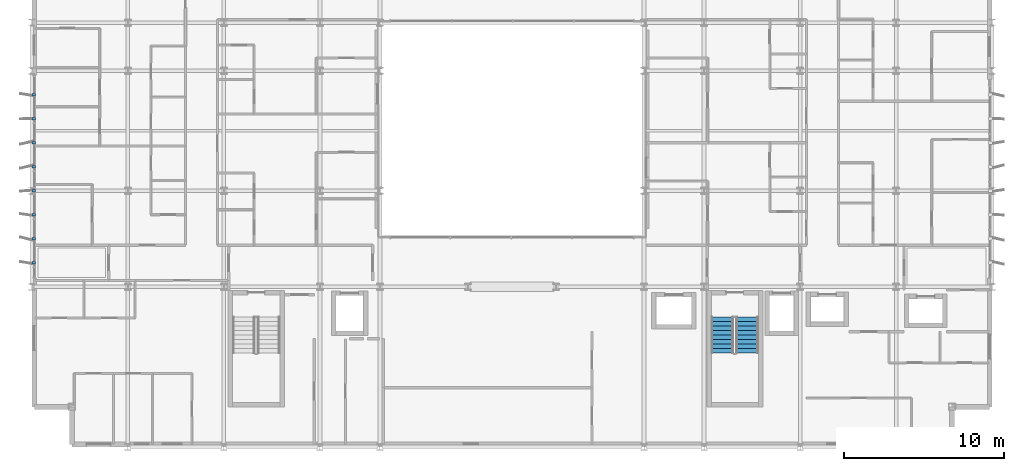
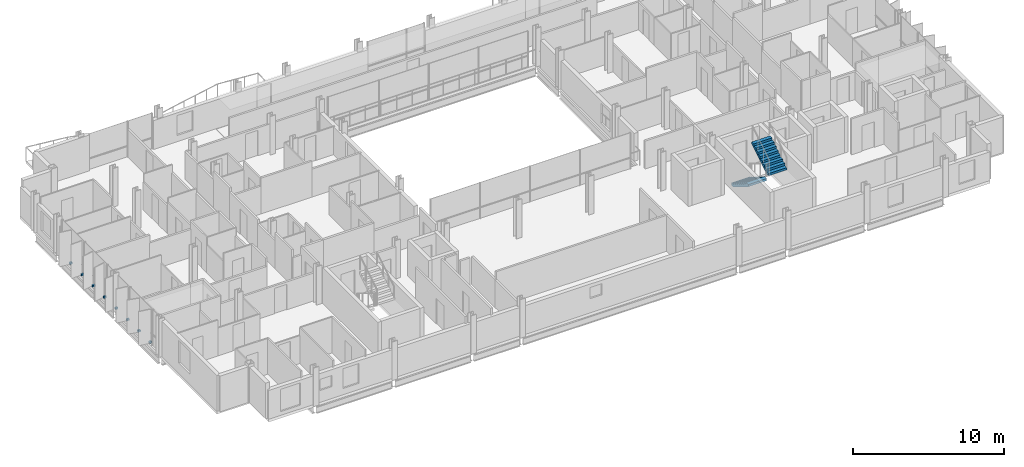
# One storey, part 33 of 38: 8 discrete accessories, 2 stair flights, 1 element without a shape of its own.
"""IFC4 building model written with IfcOpenShell, lengths in metres."""

from ifc_helpers import new_model, si_unit, direction, frame, origin, origin_2d, place, context, subcontext, project, spatial, polyline, rectangle, outline, extrude, material, layer, layer_set, type_object, element, aggregate, save


model = new_model("IFC4")

# Units and contexts
model_context = context("Model", 3, precision=1e-05, world=origin(), true_north=direction((0.0, 1.0)))
body_context = subcontext(model_context, "Body", "Model", "MODEL_VIEW")
ifc_project = project(units=[si_unit("LENGTHUNIT", "METRE"), si_unit("AREAUNIT", "SQUARE_METRE"), si_unit("VOLUMEUNIT", "CUBIC_METRE"), si_unit("PLANEANGLEUNIT", "RADIAN"), si_unit("MASSUNIT", "GRAM", prefix="KILO")], contexts=[model_context])

# Site, building, storey
site_placement = place(None, origin())
site = spatial("IfcSite", under=ifc_project, at=site_placement, CompositionType="ELEMENT")
building_placement = place(site_placement, origin())
building = spatial("IfcBuilding", under=site, at=building_placement, Name="Brevholm Reach", CompositionType="ELEMENT")
storey_placement = place(building_placement, frame((0.0, 0.0, 128.300048828125)))
storey = spatial("IfcBuildingStorey", under=building, at=storey_placement, Name="L38", CompositionType="ELEMENT", Elevation=128.300048828125)

# Stair, stair flights
ifc_material_1 = material(Name="Precast Concrete C40/50", Category="concrete")
stair_type = type_object("IfcStairType", Name="STR-ESC-1400", PredefinedType="DOUBLE_RETURN_STAIR", material=ifc_material_1)
stair_placement = place(storey_placement, origin())
stair = element("IfcStair", 1, at=stair_placement, inside=storey, type_object=stair_type, Name="L38 ST-2", PredefinedType="DOUBLE_RETURN_STAIR")
ifc_material_2 = material(Name="Precast Concrete C40/50", Category="concrete")
ifc_layer = layer(ifc_material_2, 0.18505859375)
ifc_layer_set = layer_set([ifc_layer], Name="Precast Concrete C40/50")
stair_flight_type = type_object("IfcStairFlightType", Name="STF-PRC-185", PredefinedType="STRAIGHT", material=ifc_layer_set)
stair_flight_1_placement = place(storey_placement, frame((43.14990234375, 8.10009765625, 0.0), z_axis=(0.0, 0.0, 1.0), x_axis=(0.0, -1.0, 0.0)))
stair_flight_1 = element("IfcStairFlight", 2, at=stair_flight_1_placement, type_object=stair_flight_type, Name="ST-2 flight 1", NumberOfRisers=9, NumberOfTreads=8, PredefinedType="STRAIGHT", RiserHeight=0.172222222, TreadLength=0.28, context=body_context, shape_type="SweptSolid", body=[
    extrude(outline(polyline([(0.0, 0.0), (0.0, 0.172119140625), (0.280029296875, 0.172119140625), (0.280029296875, 0.344482421875), (0.56005859375, 0.344482421875), (0.56005859375, 0.5166015625), (0.840087890625, 0.5166015625), (0.840087890625, 0.68896484375), (1.1201171875, 0.68896484375), (1.1201171875, 0.861083984375), (1.39990234375, 0.861083984375), (1.39990234375, 1.033447265625), (1.679931640625, 1.033447265625), (1.679931640625, 1.20556640625), (1.9599609375, 1.20556640625), (1.9599609375, 1.377685546875), (2.239990234375, 1.377685546875), (2.239990234375, 1.550048828125), (2.239990234375, 1.201904296875), (0.2861328125, 0.0), (0.0, 0.0)])), frame((0.0, 0.699951171875, 0.0), z_axis=(0.0, -1.0, 0.0), x_axis=(1.0, 0.0, 0.0)), (0.0, 0.0, 1.0), 1.39990234375),
])
stair_flight_2_placement = place(storey_placement, frame((44.699951171875, 5.860107421875, 1.550048828125), z_axis=(0.0, 0.0, 1.0), x_axis=(0.0, 1.0, 0.0)))
stair_flight_2 = element("IfcStairFlight", 3, at=stair_flight_2_placement, type_object=stair_flight_type, Name="ST-2 flight 2", NumberOfRisers=9, NumberOfTreads=8, PredefinedType="STRAIGHT", RiserHeight=0.172222222, TreadLength=0.28, context=body_context, shape_type="SweptSolid", body=[
    extrude(outline(polyline([(0.0, 0.0), (0.0, 0.172119140625), (0.280029296875, 0.172119140625), (0.280029296875, 0.344482421875), (0.56005859375, 0.344482421875), (0.56005859375, 0.5166015625), (0.840087890625, 0.5166015625), (0.840087890625, 0.68896484375), (1.1201171875, 0.68896484375), (1.1201171875, 0.861083984375), (1.39990234375, 0.861083984375), (1.39990234375, 1.033447265625), (1.679931640625, 1.033447265625), (1.679931640625, 1.20556640625), (1.9599609375, 1.20556640625), (1.9599609375, 1.377685546875), (2.239990234375, 1.377685546875), (2.239990234375, 1.550048828125), (2.239990234375, 1.201904296875), (0.2861328125, 0.0), (0.0, 0.0)])), frame((0.0, 0.699951171875, 0.0), z_axis=(0.0, -1.0, 0.0), x_axis=(1.0, 0.0, 0.0)), (0.0, 0.0, 1.0), 1.39990234375),
])
aggregate(stair, [stair_flight_1, stair_flight_2])

# Discrete accessories
ifc_material_3 = material(Name="Duplex Stainless Steel EN 1.4462", Category="steel")
discrete_accessory_type = type_object("IfcDiscreteAccessoryType", Name="ACC-BRK-01", PredefinedType="BRACKET", material=ifc_material_3)
for number, where, z_axis, x_axis, name in (
    (4, (0.1201171875, 11.5, 0.02978515625), (0.0, 0.0, 1.0), (-1.0, 0.0, 0.0), "L38 Solar Screen Support Bracket 1"),
    (5, (0.1201171875, 13.0, 0.02978515625), (0.0, 0.0, 1.0), (-1.0, 0.0, 0.0), "L38 Solar Screen Support Bracket 2"),
    (6, (0.1201171875, 14.5, 0.02978515625), (0.0, 0.0, 1.0), (-1.0, 0.0, 0.0), "L38 Solar Screen Support Bracket 3"),
    (7, (0.1201171875, 16.0, 0.02978515625), (0.0, 0.0, 1.0), (-1.0, 0.0, 0.0), "L38 Solar Screen Support Bracket 4"),
    (8, (0.1201171875, 17.5, 0.02978515625), (0.0, 0.0, 1.0), (-1.0, 0.0, 0.0), "L38 Solar Screen Support Bracket 5"),
    (9, (0.1201171875, 19.0, 0.02978515625), (0.0, 0.0, 1.0), (-1.0, 0.0, 0.0), "L38 Solar Screen Support Bracket 6"),
    (10, (0.1201171875, 20.5, 0.02978515625), (0.0, 0.0, 1.0), (-1.0, 0.0, 0.0), "L38 Solar Screen Support Bracket 7"),
    (11, (0.1201171875, 22.0, 0.02978515625), (0.0, 0.0, 1.0), (-1.0, 0.0, 0.0), "L38 Solar Screen Support Bracket 8"),
):
    element("IfcDiscreteAccessory", number, at=place(storey_placement, frame(where, z_axis=z_axis, x_axis=x_axis)), inside=storey, type_object=discrete_accessory_type, Name=name, PredefinedType="BRACKET", context=body_context, shape_type="SweptSolid", body=[
        extrude(rectangle(XDim=0.199951171875, YDim=0.139892578125, at=origin_2d()), origin(), (0.0, 0.0, 1.0), 0.139892578125),
    ])

save(model, "model.ifc")
